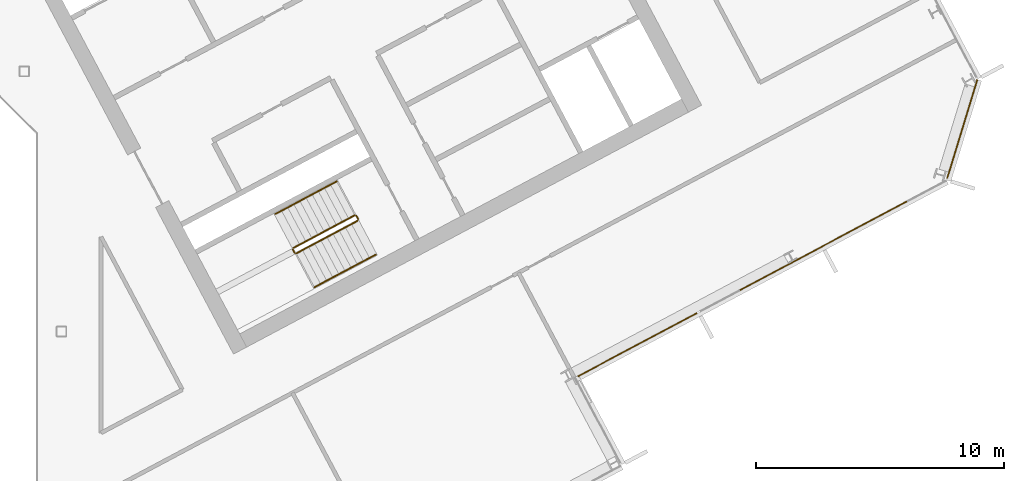
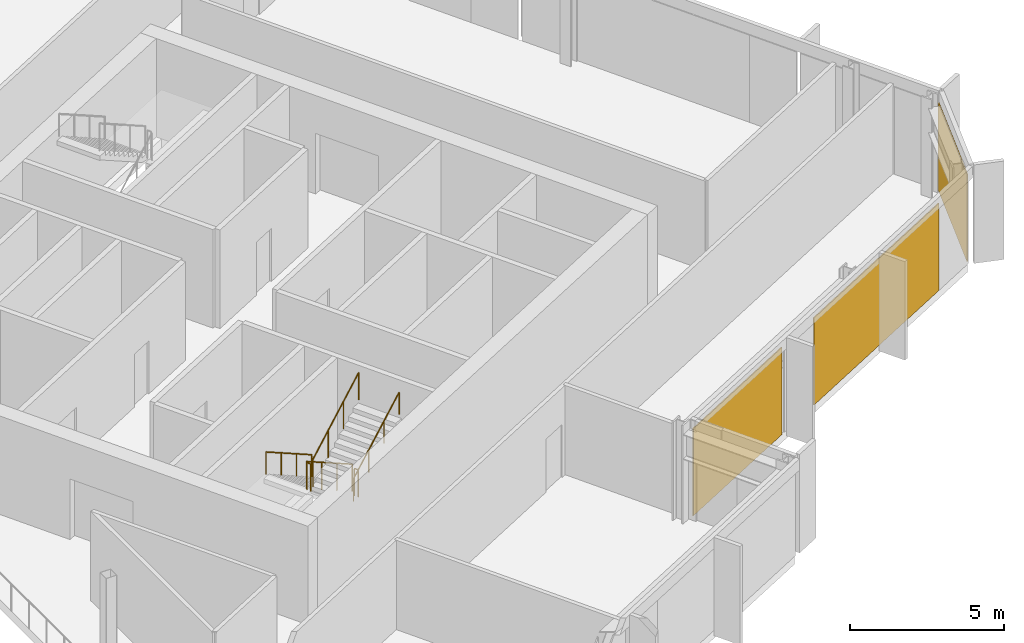
# One storey, part 25 of 27: 6 railings, 3 coverings, 2 elements without a shape of their own.
"""IFC4 building model written with IfcOpenShell, lengths in metres."""

import ifcopenshell
import ifcopenshell.guid

model = None  # the IFC model being written
_history = None  # IfcOwnerHistory: only IFC2X3 demands one
_inside = {}  # id of a spatial element -> (the spatial element, [elements in it])
_under = {}  # id of a project, library or spatial element -> (it, [spatial elements below it])
_declared = {}  # id of a project -> (the project, [libraries it declares])
_typed = {}  # id of a type object -> (the type object, [elements of that type])
_made_of = {}  # id of a material, layer set ... -> (it, [elements and type objects made of it])


def new_model(schema):
    """Start an empty IFC model of exactly this schema.

    Asked for "IFC4X3", IfcOpenShell would pick the latest addendum, in which some entities
    have other attributes; the version numbers below select the first issue.
    IFC2X3 requires an IfcOwnerHistory on every rooted entity: one is made here for all.
    """
    global model, _history
    if schema == "IFC4X3":
        model = ifcopenshell.file(schema_version=(4, 3, 0, 0))
    else:
        model = ifcopenshell.file(schema=schema)
    _inside.clear()
    _under.clear()
    _declared.clear()
    _typed.clear()
    _made_of.clear()
    _history = None
    if model.schema == "IFC2X3":
        org = make("IfcOrganization", Name="unknown")
        user = make(
            "IfcPersonAndOrganization",
            ThePerson=make("IfcPerson", FamilyName="unknown"),
            TheOrganization=org,
        )
        app = make(
            "IfcApplication",
            ApplicationDeveloper=org,
            Version="unknown",
            ApplicationFullName="unknown",
            ApplicationIdentifier="unknown",
        )
        _history = make(
            "IfcOwnerHistory",
            OwningUser=user,
            OwningApplication=app,
            ChangeAction="ADDED",
            CreationDate=0,
        )
    return model


def make(cls, **values):
    """One entity of the class cls with the attributes given. An attribute that is None is left unset."""
    return model.create_entity(
        cls, **{name: value for name, value in values.items() if value is not None}
    )


def rooted(cls, **values):
    """An entity with a GlobalId (a new one), such as an element, a storey or a relation."""
    return make(cls, GlobalId=ifcopenshell.guid.new(), OwnerHistory=_history, **values)


def si_unit(unit_type, name, prefix=None):
    """IfcSIUnit, for example si_unit("LENGTHUNIT", "METRE", prefix="MILLI")."""
    return make("IfcSIUnit", UnitType=unit_type, Prefix=prefix, Name=name)


def assignment(units):
    """IfcUnitAssignment: the units of a project."""
    return None if units is None else make("IfcUnitAssignment", Units=units)


def point(xyz):
    """IfcCartesianPoint."""
    return None if xyz is None else make("IfcCartesianPoint", Coordinates=xyz)


def direction(xyz):
    """IfcDirection."""
    return None if xyz is None else make("IfcDirection", DirectionRatios=xyz)


def frame(location, z_axis=None, x_axis=None):
    """IfcAxis2Placement3D, a coordinate frame: its origin and axes. An axis left out is left unset."""
    return make(
        "IfcAxis2Placement3D",
        Location=point(location),
        Axis=direction(z_axis),
        RefDirection=direction(x_axis),
    )


def frame_2d(location, x_axis=None):
    """IfcAxis2Placement2D, a coordinate frame in the plane: its origin and x axis."""
    return make(
        "IfcAxis2Placement2D", Location=point(location), RefDirection=direction(x_axis)
    )


def origin():
    """The frame at (0, 0, 0) with its axes left unset."""
    return frame((0.0, 0.0, 0.0))


def origin_2d():
    """The frame at (0, 0) in the plane with its x axis left unset."""
    return frame_2d((0.0, 0.0))


def place(relative_to, where):
    """IfcLocalPlacement: puts the frame where relative to a parent placement (None: the world)."""
    return make(
        "IfcLocalPlacement", PlacementRelTo=relative_to, RelativePlacement=where
    )


def context(
    kind, dimensions, precision=None, world=None, true_north=None, identifier=None
):
    """IfcGeometricRepresentationContext, for example the 3D "Model" context."""
    return make(
        "IfcGeometricRepresentationContext",
        ContextIdentifier=identifier,
        ContextType=kind,
        CoordinateSpaceDimension=dimensions,
        Precision=precision,
        WorldCoordinateSystem=world,
        TrueNorth=true_north,
    )


def subcontext(parent, identifier, kind, view, scale=None):
    """IfcGeometricRepresentationSubContext, for example "Body" below "Model"."""
    return make(
        "IfcGeometricRepresentationSubContext",
        ContextIdentifier=identifier,
        ContextType=kind,
        ParentContext=parent,
        TargetScale=scale,
        TargetView=view,
    )


def project(units=None, contexts=None):
    """IfcProject with its units and contexts."""
    return rooted(
        "IfcProject",
        Name="project",
        RepresentationContexts=contexts,
        UnitsInContext=assignment(units),
    )


def spatial(cls, under=None, at=None, **own):
    """A site, building, storey or space (cls), placed at a placement, below another one or the project."""
    s = rooted(cls, ObjectPlacement=at, **own)
    if under is not None:
        _under.setdefault(under.id(), (under, []))[1].append(s)
    return s


def polyline(points):
    """IfcPolyline through the points."""
    return make("IfcPolyline", Points=[point(p) for p in points])


def profile(cls, at=None, kind="AREA", **sizes):
    """A parametric profile (cls). Its sizes go by their IFC names, for example OverallWidth=200.0."""
    return make(cls, ProfileType=kind, Position=at, **sizes)


def rectangle(**sizes):
    """IfcRectangleProfileDef."""
    return profile("IfcRectangleProfileDef", **sizes)


def outline(outer, holes=None, kind="AREA"):
    """IfcArbitraryClosedProfileDef: a profile drawn as a closed curve; with holes, ...WithVoids."""
    if holes is None:
        return make("IfcArbitraryClosedProfileDef", ProfileType=kind, OuterCurve=outer)
    return make(
        "IfcArbitraryProfileDefWithVoids",
        ProfileType=kind,
        OuterCurve=outer,
        InnerCurves=holes,
    )


def extrude(swept, where, along, depth):
    """IfcExtrudedAreaSolid: the profile swept, set in the frame where, extruded along a direction by depth."""
    return make(
        "IfcExtrudedAreaSolid",
        SweptArea=swept,
        Position=where,
        ExtrudedDirection=direction(along),
        Depth=depth,
    )


def shape(context_of_items, identifier, shape_type, items):
    """IfcShapeRepresentation: the items that make up one representation, for example the "Body"."""
    return make(
        "IfcShapeRepresentation",
        ContextOfItems=context_of_items,
        RepresentationIdentifier=identifier,
        RepresentationType=shape_type,
        Items=items,
    )


def material(Name=None, Category=None):
    """IfcMaterial."""
    return make("IfcMaterial", Name=Name, Category=Category)


def layer(
    of_material, thickness, ventilated=None, Name=None, Category=None, Priority=None
):
    """IfcMaterialLayer: one layer of a wall or slab, of a material (None: an air gap)."""
    return make(
        "IfcMaterialLayer",
        Material=of_material,
        LayerThickness=thickness,
        IsVentilated=ventilated,
        Name=Name,
        Category=Category,
        Priority=Priority,
    )


def layer_set(layers, Name=None):
    """IfcMaterialLayerSet."""
    return make("IfcMaterialLayerSet", MaterialLayers=layers, LayerSetName=Name)


def made_of(thing, what):
    """Note that an element or type object is made of a material, layer set ...; save() writes the relation."""
    if what is not None:
        _made_of.setdefault(what.id(), (what, []))[1].append(thing)
    return thing


def type_object(cls, material=None, **own):
    """A type object (cls), such as IfcWallType, which elements share."""
    return made_of(rooted(cls, **own), material)


def element(
    cls,
    number,
    at=None,
    inside=None,
    cuts=None,
    type_object=None,
    material=None,
    context=None,
    identifier="Body",
    shape_type=None,
    held_by="IfcProductDefinitionShape",
    body=None,
    shapes=None,
    **own,
):
    """One element of the class cls, such as IfcWall. Its Tag is "e" and its number.

    at: its placement. inside: the storey or other place that contains it. cuts: it is an
    opening in that element (IfcRelVoidsElement). A single representation is given by context,
    identifier, shape_type and body (its items); several are given by shapes. held_by: the class
    of the entity that holds the representations. save() writes the other relations.
    """
    e = rooted(cls, Tag="e%d" % number, ObjectPlacement=at, **own)
    if body is not None:
        shapes = [shape(context, identifier, shape_type, body)]
    if shapes is not None:
        e.Representation = make(held_by, Representations=shapes)
    if inside is not None:
        _inside.setdefault(inside.id(), (inside, []))[1].append(e)
    if cuts is not None:
        rooted(
            "IfcRelVoidsElement", RelatingBuildingElement=cuts, RelatedOpeningElement=e
        )
    if type_object is not None:
        _typed.setdefault(type_object.id(), (type_object, []))[1].append(e)
    return made_of(e, material)


def aggregate(whole, parts):
    """IfcRelAggregates: a whole, such as a stair, and the parts it consists of."""
    return rooted("IfcRelAggregates", RelatingObject=whole, RelatedObjects=parts)


def save(model, path):
    """Write the relations noted so far, then the file.

    IfcRelAggregates (storeys below a building ...), IfcRelContainedInSpatialStructure (elements
    in a storey), IfcRelDefinesByType, IfcRelAssociatesMaterial and IfcRelDeclares: one each for
    every whole, place, type object, material and project.
    """
    for whole, parts in _under.values():
        aggregate(whole, parts)
    for where, things in _inside.values():
        rooted(
            "IfcRelContainedInSpatialStructure",
            RelatedElements=things,
            RelatingStructure=where,
        )
    for kind, things in _typed.values():
        rooted("IfcRelDefinesByType", RelatedObjects=things, RelatingType=kind)
    for what, things in _made_of.values():
        rooted("IfcRelAssociatesMaterial", RelatedObjects=things, RelatingMaterial=what)
    for by, libraries in _declared.values():
        rooted("IfcRelDeclares", RelatingContext=by, RelatedDefinitions=libraries)
    model.write(path)


model = new_model("IFC4")

# Units and contexts
model_context = context("Model", 3, precision=1e-05, world=origin(), true_north=direction((0.0, 1.0)))
body_context = subcontext(model_context, "Body", "Model", "MODEL_VIEW")
ifc_project = project(units=[si_unit("LENGTHUNIT", "METRE"), si_unit("AREAUNIT", "SQUARE_METRE"), si_unit("VOLUMEUNIT", "CUBIC_METRE"), si_unit("PLANEANGLEUNIT", "RADIAN"), si_unit("MASSUNIT", "GRAM", prefix="KILO")], contexts=[model_context])

# Site, building, storey
site_placement = place(None, origin())
site = spatial("IfcSite", under=ifc_project, at=site_placement, CompositionType="ELEMENT")
building_placement = place(site_placement, origin())
building = spatial("IfcBuilding", under=site, at=building_placement, Name="Cormorant Relay Tower", CompositionType="ELEMENT")
storey_placement = place(building_placement, frame((0.0, 0.0, 224.699951171875)))
storey = spatial("IfcBuildingStorey", under=building, at=storey_placement, Name="L49", CompositionType="ELEMENT", Elevation=224.699951171875)

# Curtain wall, coverings
ifc_material_1 = material(Name="Aluminium 6063-T6 anodised bronze", Category="aluminium")
ifc_layer_1 = layer(ifc_material_1, 0.199951171875)
ifc_layer_set_1 = layer_set([ifc_layer_1], Name="CW1 unitised bronze curtain wall with vertical fins")
curtain_wall_type = type_object("IfcCurtainWallType", Name="CW1 unitised bronze curtain wall with vertical fins", PredefinedType="NOTDEFINED", material=ifc_layer_set_1)
curtain_wall_1_placement = place(storey_placement, origin())
curtain_wall_1 = element("IfcCurtainWall", 1, at=curtain_wall_1_placement, inside=storey, type_object=curtain_wall_type, Name="CW1 curtain wall 4", PredefinedType="NOTDEFINED")
ifc_material_2 = material(Name="Pale bronze anodised aluminium insulated panel", Category="aluminium")
ifc_layer_2 = layer(ifc_material_2, 0.0400390625)
ifc_layer_set_2 = layer_set([ifc_layer_2], Name="CW1 pale bronze insulated panel 40")
covering_type = type_object("IfcCoveringType", Name="CW1 pale bronze insulated panel 40", PredefinedType="CLADDING", material=ifc_layer_set_2)
covering_1_placement = place(storey_placement, frame((35.247802734375, -0.534912109375, 0.0), z_axis=(0.0, 0.0, 1.0), x_axis=(0.882947592859, 0.469471562786, 0.0)))
covering_1 = element("IfcCovering", 2, at=covering_1_placement, type_object=covering_type, Name="CW1 panel S00", PredefinedType="CLADDING", context=body_context, shape_type="SweptSolid", body=[
    extrude(rectangle(XDim=5.441650390625, YDim=0.0400390625, at=origin_2d()), origin(), (0.0, 0.0, 1.0), 3.449951171875),
])
covering_2_placement = place(storey_placement, frame((42.752685546875, 3.455810546875, 0.0), z_axis=(0.0, 0.0, 1.0), x_axis=(0.882947592859, 0.469471562786, 0.0)))
covering_2 = element("IfcCovering", 3, at=covering_2_placement, type_object=covering_type, Name="CW1 panel S02", PredefinedType="CLADDING", context=body_context, shape_type="SweptSolid", body=[
    extrude(rectangle(XDim=7.658203125, YDim=0.0400390625, at=origin_2d()), origin(), (0.0, 0.0, 1.0), 3.449951171875),
])
aggregate(curtain_wall_1, [covering_1, covering_2])

# Curtain wall, covering
curtain_wall_2_placement = place(storey_placement, origin())
curtain_wall_2 = element("IfcCurtainWall", 4, at=curtain_wall_2_placement, inside=storey, type_object=curtain_wall_type, Name="CW1 curtain wall 5", PredefinedType="NOTDEFINED")
covering_3_placement = place(storey_placement, frame((48.364013671875, 8.1748046875, 0.0), z_axis=(0.0, 0.0, 1.0), x_axis=(0.292371704723, 0.956304755963, 0.0)))
covering_3 = element("IfcCovering", 5, at=covering_3_placement, type_object=covering_type, Name="CW1 panel S00", PredefinedType="CLADDING", context=body_context, shape_type="SweptSolid", body=[
    extrude(rectangle(XDim=4.16748046875, YDim=0.0400390625, at=origin_2d()), origin(), (0.0, 0.0, 1.0), 3.449951171875),
])
aggregate(curtain_wall_2, [covering_3])

# Railings
ifc_material_3 = material(Name="Steel ASTM A572 Grade 50 (Fy 345 MPa)", Category="steel")
railing_type_1 = type_object("IfcRailingType", Name="Stair guard 1100", PredefinedType="GUARDRAIL", material=ifc_material_3)
railing_1_placement = place(storey_placement, frame((23.83837890625, 4.6904296875, 0.17724609375)))
element("IfcRailing", 6, at=railing_1_placement, inside=storey, type_object=railing_type_1, Name="L49 B1 stair guard 1", PredefinedType="GUARDRAIL", context=body_context, shape_type="SweptSolid", body=[
    extrude(outline(polyline([(0.022216796875, 0.00927734375), (0.00927734375, 0.022216796875), (-0.00927734375, 0.022216796875), (-0.022216796875, 0.00927734375), (-0.022216796875, -0.00927734375), (-0.00927734375, -0.022216796875), (0.00927734375, -0.022216796875), (0.022216796875, -0.00927734375), (0.022216796875, 0.00927734375)])), frame((0.0, 0.0, 1.076171875), z_axis=(-0.746033882577, -0.396627473466, 0.534901947407), x_axis=(0.469429322983, -0.882970050864, 0.0)), (0.0, 0.0, 1.0), 3.31396484375),
    extrude(outline(polyline([(0.019287109375, 0.008056640625), (0.008056640625, 0.019287109375), (-0.008056640625, 0.019287109375), (-0.019287109375, 0.008056640625), (-0.019287109375, -0.008056640625), (-0.008056640625, -0.019287109375), (0.008056640625, -0.019287109375), (0.019287109375, -0.008056640625), (0.019287109375, 0.008056640625)])), origin(), (0.0, 0.0, 1.0), 1.052001953125),
    extrude(outline(polyline([(0.019287109375, 0.008056640625), (0.008056640625, 0.019287109375), (-0.008056640625, 0.019287109375), (-0.019287109375, 0.008056640625), (-0.019287109375, -0.008056640625), (-0.008056640625, -0.019287109375), (0.008056640625, -0.019287109375), (0.019287109375, -0.008056640625), (0.019287109375, 0.008056640625)])), frame((-0.82421875, -0.438232421875, 0.5908203125)), (0.0, 0.0, 1.0), 1.052001953125),
    extrude(outline(polyline([(0.019287109375, 0.008056640625), (0.008056640625, 0.019287109375), (-0.008056640625, 0.019287109375), (-0.019287109375, 0.008056640625), (-0.019287109375, -0.008056640625), (-0.008056640625, -0.019287109375), (0.008056640625, -0.019287109375), (0.019287109375, -0.008056640625), (0.019287109375, 0.008056640625)])), frame((-1.648193359375, -0.876220703125, 1.181884765625)), (0.0, 0.0, 1.0), 1.052001953125),
    extrude(outline(polyline([(0.019287109375, 0.008056640625), (0.008056640625, 0.019287109375), (-0.008056640625, 0.019287109375), (-0.019287109375, 0.008056640625), (-0.019287109375, -0.008056640625), (-0.008056640625, -0.019287109375), (0.008056640625, -0.019287109375), (0.019287109375, -0.008056640625), (0.019287109375, 0.008056640625)])), frame((-2.472412109375, -1.314453125, 1.772705078125)), (0.0, 0.0, 1.0), 1.052001953125),
])
railing_2_placement = place(storey_placement, frame((21.345458984375, 3.308349609375, 1.949951171875)))
element("IfcRailing", 7, at=railing_2_placement, inside=storey, type_object=railing_type_1, Name="L49 B1 stair guard 2", PredefinedType="GUARDRAIL", context=body_context, shape_type="SweptSolid", body=[
    extrude(outline(polyline([(0.022216796875, 0.00927734375), (0.00927734375, 0.022216796875), (-0.00927734375, 0.022216796875), (-0.022216796875, 0.00927734375), (-0.022216796875, -0.00927734375), (-0.00927734375, -0.022216796875), (0.00927734375, -0.022216796875), (0.022216796875, -0.00927734375), (0.022216796875, 0.00927734375)])), frame((0.0, 0.0, 1.076171875), z_axis=(0.46856034887, -0.8834314911, 0.0), x_axis=(0.8834314911, 0.46856034887, 0.0)), (0.0, 0.0, 1.0), 0.150146484375),
    extrude(outline(polyline([(0.019287109375, 0.008056640625), (0.008056640625, 0.019287109375), (-0.008056640625, 0.019287109375), (-0.019287109375, 0.008056640625), (-0.019287109375, -0.008056640625), (-0.008056640625, -0.019287109375), (0.008056640625, -0.019287109375), (0.019287109375, -0.008056640625), (0.019287109375, 0.008056640625)])), origin(), (0.0, 0.0, 1.0), 1.052001953125),
    extrude(outline(polyline([(0.019287109375, 0.008056640625), (0.008056640625, 0.019287109375), (-0.008056640625, 0.019287109375), (-0.019287109375, 0.008056640625), (-0.019287109375, -0.008056640625), (-0.008056640625, -0.019287109375), (0.008056640625, -0.019287109375), (0.019287109375, -0.008056640625), (0.019287109375, 0.008056640625)])), frame((0.0703125, -0.132568359375, 0.0)), (0.0, 0.0, 1.0), 1.052001953125),
])
railing_3_placement = place(storey_placement, frame((21.4833984375, 3.1552734375, 2.12744140625)))
element("IfcRailing", 8, at=railing_3_placement, inside=storey, type_object=railing_type_1, Name="L49 B1 stair guard 3", PredefinedType="GUARDRAIL", context=body_context, shape_type="SweptSolid", body=[
    extrude(outline(polyline([(0.022216796875, 0.00927734375), (0.00927734375, 0.022216796875), (-0.00927734375, 0.022216796875), (-0.022216796875, 0.00927734375), (-0.022216796875, -0.00927734375), (-0.00927734375, -0.022216796875), (0.00927734375, -0.022216796875), (0.022216796875, -0.00927734375), (0.022216796875, 0.00927734375)])), frame((0.0, 0.0, 1.076171875), z_axis=(0.746001213114, 0.396649272309, 0.534931345884), x_axis=(-0.469465464807, 0.882950835185, 0.0)), (0.0, 0.0, 1.0), 3.31396484375),
    extrude(outline(polyline([(0.019287109375, 0.008056640625), (0.008056640625, 0.019287109375), (-0.008056640625, 0.019287109375), (-0.019287109375, 0.008056640625), (-0.019287109375, -0.008056640625), (-0.008056640625, -0.019287109375), (0.008056640625, -0.019287109375), (0.019287109375, -0.008056640625), (0.019287109375, 0.008056640625)])), origin(), (0.0, 0.0, 1.0), 1.052001953125),
    extrude(outline(polyline([(0.019287109375, 0.008056640625), (0.008056640625, 0.019287109375), (-0.008056640625, 0.019287109375), (-0.019287109375, 0.008056640625), (-0.019287109375, -0.008056640625), (-0.008056640625, -0.019287109375), (0.008056640625, -0.019287109375), (0.019287109375, -0.008056640625), (0.019287109375, 0.008056640625)])), frame((0.823974609375, 0.438232421875, 0.5908203125)), (0.0, 0.0, 1.0), 1.052001953125),
    extrude(outline(polyline([(0.019287109375, 0.008056640625), (0.008056640625, 0.019287109375), (-0.008056640625, 0.019287109375), (-0.019287109375, 0.008056640625), (-0.019287109375, -0.008056640625), (-0.008056640625, -0.019287109375), (0.008056640625, -0.019287109375), (0.019287109375, -0.008056640625), (0.019287109375, 0.008056640625)])), frame((1.648193359375, 0.876220703125, 1.181884765625)), (0.0, 0.0, 1.0), 1.052001953125),
    extrude(outline(polyline([(0.019287109375, 0.008056640625), (0.008056640625, 0.019287109375), (-0.008056640625, 0.019287109375), (-0.019287109375, 0.008056640625), (-0.019287109375, -0.008056640625), (-0.008056640625, -0.019287109375), (0.008056640625, -0.019287109375), (0.019287109375, -0.008056640625), (0.019287109375, 0.008056640625)])), frame((2.47216796875, 1.314453125, 1.772705078125)), (0.0, 0.0, 1.0), 1.052001953125),
])
railing_4_placement = place(storey_placement, frame((23.906005859375, 4.669677734375, 0.0)))
element("IfcRailing", 9, at=railing_4_placement, inside=storey, type_object=railing_type_1, Name="L49 B1 stair guard 4", PredefinedType="GUARDRAIL", context=body_context, shape_type="SweptSolid", body=[
    extrude(outline(polyline([(0.022216796875, 0.00927734375), (0.00927734375, 0.022216796875), (-0.00927734375, 0.022216796875), (-0.022216796875, 0.00927734375), (-0.022216796875, -0.00927734375), (-0.00927734375, -0.022216796875), (0.00927734375, -0.022216796875), (0.022216796875, -0.00927734375), (0.022216796875, 0.00927734375)])), frame((0.0, 0.0, 1.076171875), z_axis=(0.469234640946, -0.883073525669, 0.0), x_axis=(0.883073525669, 0.469234640946, 0.0)), (0.0, 0.0, 1.0), 0.14990234375),
    extrude(outline(polyline([(0.019287109375, 0.008056640625), (0.008056640625, 0.019287109375), (-0.008056640625, 0.019287109375), (-0.019287109375, 0.008056640625), (-0.019287109375, -0.008056640625), (-0.008056640625, -0.019287109375), (0.008056640625, -0.019287109375), (0.019287109375, -0.008056640625), (0.019287109375, 0.008056640625)])), origin(), (0.0, 0.0, 1.0), 1.052001953125),
    extrude(outline(polyline([(0.019287109375, 0.008056640625), (0.008056640625, 0.019287109375), (-0.008056640625, 0.019287109375), (-0.019287109375, 0.008056640625), (-0.019287109375, -0.008056640625), (-0.008056640625, -0.019287109375), (0.008056640625, -0.019287109375), (0.019287109375, -0.008056640625), (0.019287109375, 0.008056640625)])), frame((0.0703125, -0.13232421875, 0.0)), (0.0, 0.0, 1.0), 1.052001953125),
])
ifc_material_4 = material(Name="Steel ASTM A572 Grade 50 (Fy 345 MPa)", Category="steel")
railing_type_2 = type_object("IfcRailingType", Name="Stair handrail 900", PredefinedType="HANDRAIL", material=ifc_material_4)
railing_5_placement = place(storey_placement, frame((23.110595703125, 6.05908203125, 0.17724609375)))
element("IfcRailing", 10, at=railing_5_placement, inside=storey, type_object=railing_type_2, Name="L49 B1 stair handrail 1", PredefinedType="HANDRAIL", context=body_context, shape_type="SweptSolid", body=[
    extrude(outline(polyline([(0.022216796875, 0.00927734375), (0.00927734375, 0.022216796875), (-0.00927734375, 0.022216796875), (-0.022216796875, 0.00927734375), (-0.022216796875, -0.00927734375), (-0.00927734375, -0.022216796875), (0.00927734375, -0.022216796875), (0.022216796875, -0.00927734375), (0.022216796875, 0.00927734375)])), frame((0.0, 0.0, 0.8759765625), z_axis=(-0.745979412481, -0.396711350603, 0.534915713414), x_axis=(0.469533439143, -0.882914689835, 0.0)), (0.0, 0.0, 1.0), 3.31396484375),
    extrude(outline(polyline([(0.019287109375, 0.008056640625), (0.008056640625, 0.019287109375), (-0.008056640625, 0.019287109375), (-0.019287109375, 0.008056640625), (-0.019287109375, -0.008056640625), (-0.008056640625, -0.019287109375), (0.008056640625, -0.019287109375), (0.019287109375, -0.008056640625), (0.019287109375, 0.008056640625)])), origin(), (0.0, 0.0, 1.0), 0.851806640625),
    extrude(outline(polyline([(0.019287109375, 0.008056640625), (0.008056640625, 0.019287109375), (-0.008056640625, 0.019287109375), (-0.019287109375, 0.008056640625), (-0.019287109375, -0.008056640625), (-0.008056640625, -0.019287109375), (0.008056640625, -0.019287109375), (0.019287109375, -0.008056640625), (0.019287109375, 0.008056640625)])), frame((-0.823974609375, -0.438232421875, 0.5908203125)), (0.0, 0.0, 1.0), 0.851806640625),
    extrude(outline(polyline([(0.019287109375, 0.008056640625), (0.008056640625, 0.019287109375), (-0.008056640625, 0.019287109375), (-0.019287109375, 0.008056640625), (-0.019287109375, -0.008056640625), (-0.008056640625, -0.019287109375), (0.008056640625, -0.019287109375), (0.019287109375, -0.008056640625), (0.019287109375, 0.008056640625)])), frame((-1.648193359375, -0.87646484375, 1.181884765625)), (0.0, 0.0, 1.0), 0.851806640625),
    extrude(outline(polyline([(0.019287109375, 0.008056640625), (0.008056640625, 0.019287109375), (-0.008056640625, 0.019287109375), (-0.019287109375, 0.008056640625), (-0.019287109375, -0.008056640625), (-0.008056640625, -0.019287109375), (0.008056640625, -0.019287109375), (0.019287109375, -0.008056640625), (0.019287109375, 0.008056640625)])), frame((-2.47216796875, -1.314697265625, 1.772705078125)), (0.0, 0.0, 1.0), 0.851806640625),
])
railing_6_placement = place(storey_placement, frame((22.211181640625, 1.78662109375, 2.12744140625)))
element("IfcRailing", 11, at=railing_6_placement, inside=storey, type_object=railing_type_2, Name="L49 B1 stair handrail 2", PredefinedType="HANDRAIL", context=body_context, shape_type="SweptSolid", body=[
    extrude(outline(polyline([(0.022216796875, 0.00927734375), (0.00927734375, 0.022216796875), (-0.00927734375, 0.022216796875), (-0.022216796875, 0.00927734375), (-0.022216796875, -0.00927734375), (-0.00927734375, -0.022216796875), (0.00927734375, -0.022216796875), (0.022216796875, -0.00927734375), (0.022216796875, 0.00927734375)])), frame((0.0, 0.0, 0.8759765625), z_axis=(0.746001213114, 0.396649272309, 0.534931345884), x_axis=(-0.469465464807, 0.882950835185, 0.0)), (0.0, 0.0, 1.0), 3.31396484375),
    extrude(outline(polyline([(0.019287109375, 0.008056640625), (0.008056640625, 0.019287109375), (-0.008056640625, 0.019287109375), (-0.019287109375, 0.008056640625), (-0.019287109375, -0.008056640625), (-0.008056640625, -0.019287109375), (0.008056640625, -0.019287109375), (0.019287109375, -0.008056640625), (0.019287109375, 0.008056640625)])), origin(), (0.0, 0.0, 1.0), 0.851806640625),
    extrude(outline(polyline([(0.019287109375, 0.008056640625), (0.008056640625, 0.019287109375), (-0.008056640625, 0.019287109375), (-0.019287109375, 0.008056640625), (-0.019287109375, -0.008056640625), (-0.008056640625, -0.019287109375), (0.008056640625, -0.019287109375), (0.019287109375, -0.008056640625), (0.019287109375, 0.008056640625)])), frame((0.823974609375, 0.438232421875, 0.5908203125)), (0.0, 0.0, 1.0), 0.851806640625),
    extrude(outline(polyline([(0.019287109375, 0.008056640625), (0.008056640625, 0.019287109375), (-0.008056640625, 0.019287109375), (-0.019287109375, 0.008056640625), (-0.019287109375, -0.008056640625), (-0.008056640625, -0.019287109375), (0.008056640625, -0.019287109375), (0.019287109375, -0.008056640625), (0.019287109375, 0.008056640625)])), frame((1.648193359375, 0.876220703125, 1.181884765625)), (0.0, 0.0, 1.0), 0.851806640625),
    extrude(outline(polyline([(0.019287109375, 0.008056640625), (0.008056640625, 0.019287109375), (-0.008056640625, 0.019287109375), (-0.019287109375, 0.008056640625), (-0.019287109375, -0.008056640625), (-0.008056640625, -0.019287109375), (0.008056640625, -0.019287109375), (0.019287109375, -0.008056640625), (0.019287109375, 0.008056640625)])), frame((2.47216796875, 1.314453125, 1.772705078125)), (0.0, 0.0, 1.0), 0.851806640625),
])

save(model, "model.ifc")
